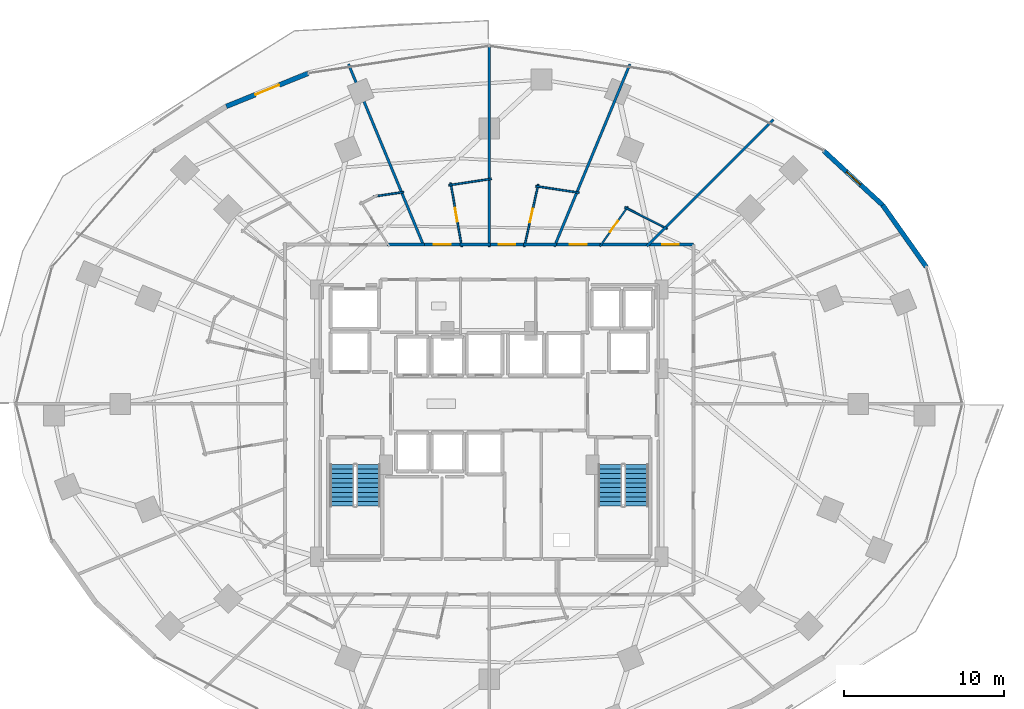
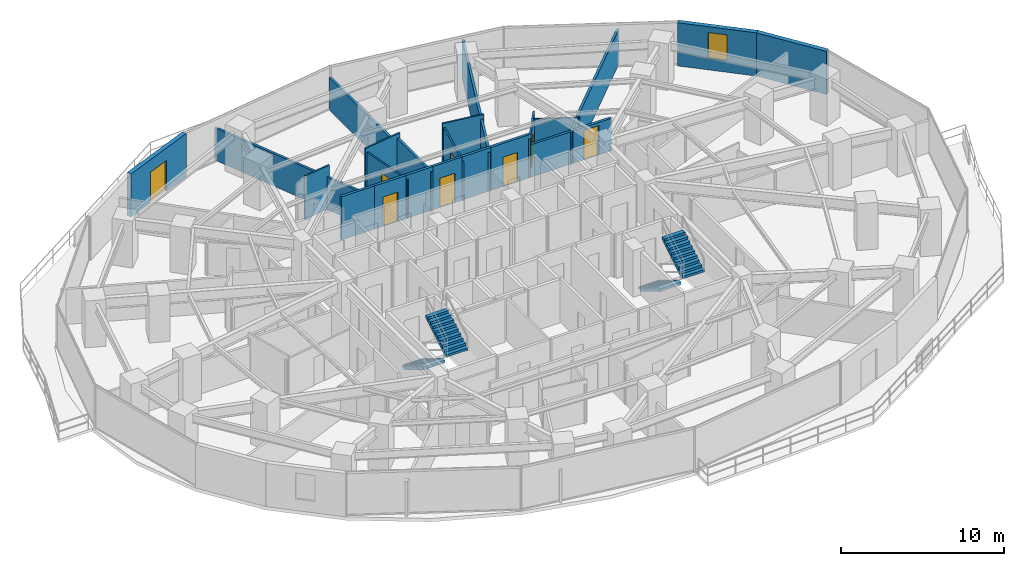
# One storey, part 30 of 34: 25 walls, 8 doors, 4 stair flights, 1 window, 9 openings, 2 elements without a shape of their own.
"""IFC4 building model written with IfcOpenShell, lengths in metres."""

from ifc_helpers import new_model, si_unit, direction, frame, frame_2d, origin, place, context, subcontext, project, spatial, polyline, rectangle, outline, extrude, material, layer, layer_set, type_object, element, fill, aggregate, save


model = new_model("IFC4")

# Units and contexts
model_context = context("Model", 3, precision=1e-05, world=origin(), true_north=direction((0.0, 1.0)))
body_context = subcontext(model_context, "Body", "Model", "MODEL_VIEW")
ifc_project = project(units=[si_unit("LENGTHUNIT", "METRE"), si_unit("AREAUNIT", "SQUARE_METRE"), si_unit("VOLUMEUNIT", "CUBIC_METRE"), si_unit("PLANEANGLEUNIT", "RADIAN"), si_unit("MASSUNIT", "GRAM", prefix="KILO")], contexts=[model_context])

# Site, building, storey
site_placement = place(None, origin())
site = spatial("IfcSite", under=ifc_project, at=site_placement, CompositionType="ELEMENT")
building_placement = place(site_placement, origin())
building = spatial("IfcBuilding", under=site, at=building_placement, Name="Vorneva Point Tower", CompositionType="ELEMENT")
storey_placement = place(building_placement, frame((0.0, 0.0, 31.0)))
storey = spatial("IfcBuildingStorey", under=building, at=storey_placement, Name="L07", CompositionType="ELEMENT", Elevation=31.0)

# Wall
ifc_material_1 = material(Name="Precast concrete B50 (C40/50)", Category="concrete")
ifc_layer_1 = layer(ifc_material_1, 0.300048828125)
ifc_layer_set_1 = layer_set([ifc_layer_1], Name="Precast concrete B50 (C40/50)")
wall_type_1 = type_object("IfcWallType", Name="WL-EXT-300", PredefinedType="STANDARD", material=ifc_layer_set_1)
wall_1_placement = place(storey_placement, frame((65.300537109375, 34.552978515625, 0.0), z_axis=(0.0, 0.0, 1.0), x_axis=(-0.577130815624, 0.816651713803, 0.0)))
element("IfcWall", 1, at=wall_1_placement, inside=storey, type_object=wall_type_1, Name="L07 Pale-Metal Facade Spandrel Wall 02.1", PredefinedType="STANDARD", context=body_context, shape_type="SweptSolid", body=[
    extrude(rectangle(XDim=4.7314453125, YDim=0.300048828125, at=frame_2d((2.36572265625, 0.0))), origin(), (0.0, 0.0, 1.0), 3.239990234375),
])

# Wall, opening, window
wall_2_placement = place(storey_placement, frame((62.56982421875, 38.4169921875, 0.0), z_axis=(0.0, 0.0, 1.0), x_axis=(-0.735342629635, 0.677695519419, 0.0)))
wall_2 = element("IfcWall", 2, at=wall_2_placement, inside=storey, type_object=wall_type_1, Name="L07 Pale-Metal Facade Spandrel Wall 02.2", PredefinedType="STANDARD", context=body_context, shape_type="SweptSolid", body=[
    extrude(rectangle(XDim=4.997314453125, YDim=0.300048828125, at=frame_2d((2.49853515625, 0.0))), origin(), (0.0, 0.0, 1.0), 3.239990234375),
])
opening_1_placement = place(wall_2_placement, frame((1.868896484375, 0.0, 0.85009765625)))
opening_1 = element("IfcOpeningElement", 3, at=opening_1_placement, cuts=wall_2, Name="Opening W-04", PredefinedType="OPENING", context=body_context, shape_type="SweptSolid", body=[
    extrude(rectangle(XDim=1.199951171875, YDim=1.949951171875, at=frame_2d((0.60009765625, 0.97509765625))), frame((0.0, 0.1650390625, 0.0), z_axis=(0.0, -1.0, 0.0), x_axis=(1.0, 0.0, 0.0)), (0.0, 0.0, 1.0), 0.329833984375),
])
ifc_material_2 = material(Name="Double low-e laminated glass IGU", Category="glass")
window_type = type_object("IfcWindowType", Name="WN-RES-1200", PartitioningType="SINGLE_PANEL", PredefinedType="WINDOW", material=ifc_material_2)
window_placement = place(opening_1_placement, origin())
window = element("IfcWindow", 4, at=window_placement, inside=storey, type_object=window_type, Name="L07 Dwelling Vision Window 01", OverallHeight=1.949951171875, OverallWidth=1.199951171875, PartitioningType="SINGLE_PANEL", PredefinedType="WINDOW", context=body_context, shape_type="SweptSolid", body=[
    extrude(rectangle(XDim=1.199951171875, YDim=1.949951171875, at=frame_2d((0.60009765625, 0.97509765625))), frame((0.0, 0.030029296875, 0.0), z_axis=(0.0, -1.0, 0.0), x_axis=(1.0, 0.0, 0.0)), (0.0, 0.0, 1.0), 0.06005859375),
])
fill(opening_1, window)

# Wall, opening, door
wall_3_placement = place(storey_placement, frame((26.691650390625, 46.648681640625, 0.0), z_axis=(0.0, 0.0, 1.0), x_axis=(-0.927095325176, -0.374825636845, 0.0)))
wall_3 = element("IfcWall", 5, at=wall_3_placement, inside=storey, type_object=wall_type_1, Name="L07 Pale-Metal Facade Spandrel Wall 06.1", PredefinedType="STANDARD", context=body_context, shape_type="SweptSolid", body=[
    extrude(rectangle(XDim=5.51025390625, YDim=0.300048828125, at=frame_2d((2.755126953125, 0.0))), origin(), (0.0, 0.0, 1.0), 3.239990234375),
])
opening_2_placement = place(wall_3_placement, frame((1.955322265625, 0.0, 0.0)))
opening_2 = element("IfcOpeningElement", 6, at=opening_2_placement, cuts=wall_3, Name="Opening BD-01", PredefinedType="OPENING", context=body_context, shape_type="SweptSolid", body=[
    extrude(rectangle(XDim=1.60009765625, YDim=2.300048828125, at=frame_2d((0.800048828125, 1.14990234375))), frame((0.0, 0.1650390625, 0.0), z_axis=(0.0, -1.0, 0.0), x_axis=(1.0, 0.0, 0.0)), (0.0, 0.0, 1.0), 0.329833984375),
])
ifc_material_3 = material(Name="Pale anodised aluminium", Category="aluminium")
door_type_1 = type_object("IfcDoorType", Name="DR-BAL-1600", OperationType="SLIDING_TO_LEFT", PredefinedType="DOOR", material=ifc_material_3)
door_1_placement = place(opening_2_placement, origin())
door_1 = element("IfcDoor", 7, at=door_1_placement, inside=storey, type_object=door_type_1, Name="L07 Balcony Terrace Access Door 06", OperationType="SLIDING_TO_LEFT", OverallHeight=2.300048828125, OverallWidth=1.60009765625, PredefinedType="DOOR", context=body_context, shape_type="SweptSolid", body=[
    extrude(rectangle(XDim=1.60009765625, YDim=2.300048828125, at=frame_2d((0.800048828125, 1.14990234375))), frame((0.0, 0.02490234375, 0.0), z_axis=(0.0, -1.0, 0.0), x_axis=(1.0, 0.0, 0.0)), (0.0, 0.0, 1.0), 0.050048828125),
])
fill(opening_2, door_1)

# Wall
ifc_material_4 = material(Name="Fire-rated acoustic gypsum stud partition", Category="gypsum")
ifc_layer_2 = layer(ifc_material_4, 0.110107421875)
ifc_layer_set_2 = layer_set([ifc_layer_2], Name="Fire-rated acoustic gypsum stud partition")
wall_type_2 = type_object("IfcWallType", Name="WL-PART-110", PredefinedType="PARTITIONING", material=ifc_layer_set_2)
wall_4_placement = place(storey_placement, frame((46.462158203125, 38.281005859375, 0.0), z_axis=(0.0, 0.0, 1.0), x_axis=(0.892486842203, -0.451073426944, 0.0)))
element("IfcWall", 8, at=wall_4_placement, inside=storey, type_object=wall_type_2, Name="L07 Interior Partition 066", PredefinedType="PARTITIONING", context=body_context, shape_type="SweptSolid", body=[
    extrude(rectangle(XDim=2.982177734375, YDim=0.110107421875, at=frame_2d((1.4912109375, 0.0))), origin(), (0.0, 0.0, 1.0), 2.431884765625),
])

# Wall, opening, door
wall_5_placement = place(storey_placement, frame((44.91259765625, 35.83544921875, 0.0), z_axis=(0.0, 0.0, 1.0), x_axis=(0.574986040322, 0.818163219312, 0.0)))
wall_5 = element("IfcWall", 9, at=wall_5_placement, inside=storey, type_object=wall_type_2, Name="L07 Interior Partition 067", PredefinedType="PARTITIONING", context=body_context, shape_type="SweptSolid", body=[
    extrude(rectangle(XDim=3.052001953125, YDim=0.110107421875, at=frame_2d((1.52587890625, 0.0))), origin(), (0.0, 0.0, 1.0), 2.922119140625),
])
opening_3_placement = place(wall_5_placement, frame((1.10107421875, 0.0, 0.0)))
opening_3 = element("IfcOpeningElement", 10, at=opening_3_placement, cuts=wall_5, Name="Opening ID-02", PredefinedType="OPENING", context=body_context, shape_type="SweptSolid", body=[
    extrude(rectangle(XDim=0.85009765625, YDim=2.10009765625, at=frame_2d((0.425048828125, 1.050048828125))), frame((0.0, 0.06982421875, 0.0), z_axis=(0.0, -1.0, 0.0), x_axis=(1.0, 0.0, 0.0)), (0.0, 0.0, 1.0), 0.139892578125),
])
ifc_material_5 = material(Name="Engineered oak fire-rated door leaf", Category="wood")
door_type_2 = type_object("IfcDoorType", Name="DR-BATH-850", OperationType="NOTDEFINED", PredefinedType="DOOR", material=ifc_material_5)
door_2_placement = place(opening_3_placement, origin())
door_2 = element("IfcDoor", 11, at=door_2_placement, inside=storey, type_object=door_type_2, Name="L07 Door Corner Suite L07-03 / En-Suite Bathroom L07-03", OperationType="SINGLE_SWING_LEFT", OverallHeight=2.10009765625, OverallWidth=0.85009765625, PredefinedType="DOOR", context=body_context, shape_type="SweptSolid", body=[
    extrude(rectangle(XDim=0.85009765625, YDim=2.10009765625, at=frame_2d((0.425048828125, 1.050048828125))), frame((0.0, 0.02490234375, 0.0), z_axis=(0.0, -1.0, 0.0), x_axis=(1.0, 0.0, 0.0)), (0.0, 0.0, 1.0), 0.050048828125),
])
fill(opening_3, door_2)

wall_6_placement = place(storey_placement, frame((40.193603515625, 35.8134765625, 0.0), z_axis=(0.0, 0.0, 1.0), x_axis=(0.21804880916, 0.975937865248, 0.0)))
wall_6 = element("IfcWall", 12, at=wall_6_placement, inside=storey, type_object=wall_type_2, Name="L07 Interior Partition 070", PredefinedType="PARTITIONING", context=body_context, shape_type="SweptSolid", body=[
    extrude(rectangle(XDim=3.998291015625, YDim=0.110107421875, at=frame_2d((1.9990234375, 0.0))), origin(), (0.0, 0.0, 1.0), 2.922119140625),
])
opening_4_placement = place(wall_6_placement, frame((1.57421875, 0.0, 0.0)))
opening_4 = element("IfcOpeningElement", 13, at=opening_4_placement, cuts=wall_6, Name="Opening ID-02", PredefinedType="OPENING", context=body_context, shape_type="SweptSolid", body=[
    extrude(rectangle(XDim=0.85009765625, YDim=2.10009765625, at=frame_2d((0.425048828125, 1.050048828125))), frame((0.0, 0.06982421875, 0.0), z_axis=(0.0, -1.0, 0.0), x_axis=(1.0, 0.0, 0.0)), (0.0, 0.0, 1.0), 0.139892578125),
])
door_3_placement = place(opening_4_placement, origin())
door_3 = element("IfcDoor", 14, at=door_3_placement, inside=storey, type_object=door_type_2, Name="L07 Door Junior Suite L07-04 / En-Suite Bathroom L07-04", OperationType="SINGLE_SWING_RIGHT", OverallHeight=2.10009765625, OverallWidth=0.85009765625, PredefinedType="DOOR", context=body_context, shape_type="SweptSolid", body=[
    extrude(rectangle(XDim=0.85009765625, YDim=2.10009765625, at=frame_2d((0.425048828125, 1.050048828125))), frame((0.0, 0.02490234375, 0.0), z_axis=(0.0, -1.0, 0.0), x_axis=(1.0, 0.0, 0.0)), (0.0, 0.0, 1.0), 0.050048828125),
])
fill(opening_4, door_3)

# Walls
wall_7_placement = place(storey_placement, frame((40.896484375, 39.599853515625, 0.0), z_axis=(0.0, 0.0, 1.0), x_axis=(0.98891024541, -0.148514398367, 0.0)))
element("IfcWall", 15, at=wall_7_placement, inside=storey, type_object=wall_type_2, Name="L07 Interior Partition 071", PredefinedType="PARTITIONING", context=body_context, shape_type="SweptSolid", body=[
    extrude(rectangle(XDim=2.745361328125, YDim=0.110107421875, at=frame_2d((1.37255859375, 0.0))), origin(), (0.0, 0.0, 1.0), 3.239990234375),
])
wall_8_placement = place(storey_placement, frame((35.474609375, 39.65625, 0.0), z_axis=(0.0, 0.0, 1.0), x_axis=(0.988878442063, 0.148726012595, 0.0)))
element("IfcWall", 16, at=wall_8_placement, inside=storey, type_object=wall_type_2, Name="L07 Interior Partition 074", PredefinedType="PARTITIONING", context=body_context, shape_type="SweptSolid", body=[
    extrude(rectangle(XDim=2.69384765625, YDim=0.110107421875, at=frame_2d((1.346923828125, 0.0))), origin(), (0.0, 0.0, 1.0), 3.239990234375),
])

# Wall, opening, door
wall_9_placement = place(storey_placement, frame((36.287109375, 35.81201171875, 0.0), z_axis=(0.0, 0.0, 1.0), x_axis=(-0.171838135253, 0.985125197766, 0.0)))
wall_9 = element("IfcWall", 17, at=wall_9_placement, inside=storey, type_object=wall_type_2, Name="L07 Interior Partition 075", PredefinedType="PARTITIONING", context=body_context, shape_type="SweptSolid", body=[
    extrude(rectangle(XDim=4.0634765625, YDim=0.110107421875, at=frame_2d((2.03173828125, 0.0))), origin(), (0.0, 0.0, 1.0), 2.922119140625),
])
opening_5_placement = place(wall_9_placement, frame((1.606689453125, 0.0, 0.0)))
opening_5 = element("IfcOpeningElement", 18, at=opening_5_placement, cuts=wall_9, Name="Opening ID-02", PredefinedType="OPENING", context=body_context, shape_type="SweptSolid", body=[
    extrude(rectangle(XDim=0.85009765625, YDim=2.10009765625, at=frame_2d((0.425048828125, 1.050048828125))), frame((0.0, 0.06982421875, 0.0), z_axis=(0.0, -1.0, 0.0), x_axis=(1.0, 0.0, 0.0)), (0.0, 0.0, 1.0), 0.139892578125),
])
door_4_placement = place(opening_5_placement, origin())
door_4 = element("IfcDoor", 19, at=door_4_placement, inside=storey, type_object=door_type_2, Name="L07 Door Executive Suite L07-05 / En-Suite Bathroom L07-05", OperationType="SINGLE_SWING_LEFT", OverallHeight=2.10009765625, OverallWidth=0.85009765625, PredefinedType="DOOR", context=body_context, shape_type="SweptSolid", body=[
    extrude(rectangle(XDim=0.85009765625, YDim=2.10009765625, at=frame_2d((0.425048828125, 1.050048828125))), frame((0.0, 0.02490234375, 0.0), z_axis=(0.0, -1.0, 0.0), x_axis=(1.0, 0.0, 0.0)), (0.0, 0.0, 1.0), 0.050048828125),
])
fill(opening_5, door_4)

# Walls
wall_10_placement = place(storey_placement, frame((30.758544921875, 38.947265625, 0.0), z_axis=(0.0, 0.0, 1.0), x_axis=(0.988889867338, 0.148650026153, 0.0)))
element("IfcWall", 20, at=wall_10_placement, inside=storey, type_object=wall_type_2, Name="L07 Interior Partition 078", PredefinedType="PARTITIONING", context=body_context, shape_type="SweptSolid", body=[
    extrude(rectangle(XDim=1.92822265625, YDim=0.110107421875, at=frame_2d((0.964111328125, 0.0))), origin(), (0.0, 0.0, 1.0), 3.239990234375),
])
ifc_layer_3 = layer(ifc_material_4, 0.159912109375)
ifc_layer_set_3 = layer_set([ifc_layer_3], Name="Fire-rated acoustic gypsum stud partition")
wall_type_3 = type_object("IfcWallType", Name="WL-PART-160", PredefinedType="PARTITIONING", material=ifc_layer_set_3)
wall_11_placement = place(storey_placement, frame((55.7529296875, 43.7529296875, 0.0), z_axis=(0.0, 0.0, 1.0), x_axis=(-0.707106781187, -0.707106781187, 0.0)))
element("IfcWall", 21, at=wall_11_placement, inside=storey, type_object=wall_type_3, Name="L07 Interior Partition 064", PredefinedType="PARTITIONING", context=body_context, shape_type="SweptSolid", body=[
    extrude(rectangle(XDim=9.614990234375, YDim=0.159912109375, at=frame_2d((4.8076171875, 0.0))), origin(), (0.0, 0.0, 1.0), 2.6240234375),
])
wall_12_placement = place(storey_placement, frame((49.052978515625, 37.052978515625, 0.0), z_axis=(0.0, 0.0, 1.0), x_axis=(-0.707106781187, -0.707106781187, 0.0)))
element("IfcWall", 22, at=wall_12_placement, inside=storey, type_object=wall_type_3, Name="L07 Interior Partition 065", PredefinedType="PARTITIONING", context=body_context, shape_type="SweptSolid", body=[
    extrude(rectangle(XDim=1.69970703125, YDim=0.159912109375, at=frame_2d((0.849853515625, 0.0))), origin(), (0.0, 0.0, 1.0), 2.431884765625),
])
wall_13_placement = place(storey_placement, frame((46.7919921875, 47.22509765625, 0.0), z_axis=(0.0, 0.0, 1.0), x_axis=(-0.382750893248, -0.923851586413, 0.0)))
element("IfcWall", 23, at=wall_13_placement, inside=storey, type_object=wall_type_3, Name="L07 Interior Partition 068", PredefinedType="PARTITIONING", context=body_context, shape_type="SweptSolid", body=[
    extrude(rectangle(XDim=8.734130859375, YDim=0.159912109375, at=frame_2d((4.3671875, 0.0))), origin(), (0.0, 0.0, 1.0), 2.8740234375),
])
wall_14_placement = place(storey_placement, frame((43.503173828125, 39.28515625, 0.0), z_axis=(0.0, 0.0, 1.0), x_axis=(-0.382867331148, -0.923803337697, 0.0)))
element("IfcWall", 24, at=wall_14_placement, inside=storey, type_object=wall_type_3, Name="L07 Interior Partition 069", PredefinedType="PARTITIONING", context=body_context, shape_type="SweptSolid", body=[
    extrude(rectangle(XDim=3.75, YDim=0.159912109375, at=frame_2d((1.875, 0.0))), origin(), (0.0, 0.0, 1.0), 2.922119140625),
])
wall_15_placement = place(storey_placement, frame((38.0, 48.35009765625, 0.0), z_axis=(0.0, 0.0, 1.0), x_axis=(0.0, -1.0, 0.0)))
element("IfcWall", 25, at=wall_15_placement, inside=storey, type_object=wall_type_3, Name="L07 Interior Partition 072", PredefinedType="PARTITIONING", context=body_context, shape_type="SweptSolid", body=[
    extrude(rectangle(XDim=8.375, YDim=0.159912109375, at=frame_2d((4.1875, 0.0))), origin(), (0.0, 0.0, 1.0), 2.431884765625),
])
wall_16_placement = place(storey_placement, frame((38.0, 40.114990234375, 0.0), z_axis=(0.0, 0.0, 1.0), x_axis=(0.0, -1.0, 0.0)))
element("IfcWall", 26, at=wall_16_placement, inside=storey, type_object=wall_type_3, Name="L07 Interior Partition 073", PredefinedType="PARTITIONING", context=body_context, shape_type="SweptSolid", body=[
    extrude(rectangle(XDim=4.304931640625, YDim=0.159912109375, at=frame_2d((2.15234375, 0.0))), origin(), (0.0, 0.0, 1.0), 2.922119140625),
])
wall_17_placement = place(storey_placement, frame((29.2080078125, 47.22509765625, 0.0), z_axis=(0.0, 0.0, 1.0), x_axis=(0.382723985517, -0.923862733803, 0.0)))
element("IfcWall", 27, at=wall_17_placement, inside=storey, type_object=wall_type_3, Name="L07 Interior Partition 076", PredefinedType="PARTITIONING", context=body_context, shape_type="SweptSolid", body=[
    extrude(rectangle(XDim=12.204345703125, YDim=0.159912109375, at=frame_2d((6.10205078125, 0.0))), origin(), (0.0, 0.0, 1.0), 2.431884765625),
])

# Wall, opening, door
ifc_material_6 = material(Name="Autoclaved aerated concrete blockwork", Category="masonry")
ifc_layer_4 = layer(ifc_material_6, 0.179931640625)
ifc_layer_set_4 = layer_set([ifc_layer_4], Name="Autoclaved aerated concrete blockwork")
wall_type_4 = type_object("IfcWallType", Name="WL-PART-180", PredefinedType="PARTITIONING", material=ifc_layer_set_4)
wall_18_placement = place(storey_placement, frame((50.75, 35.949951171875, 0.0), z_axis=(0.0, 0.0, 1.0), x_axis=(-1.0, 0.0, 0.0)))
wall_18 = element("IfcWall", 28, at=wall_18_placement, inside=storey, type_object=wall_type_4, Name="L07 Interior Partition 027", PredefinedType="PARTITIONING", context=body_context, shape_type="SweptSolid", body=[
    extrude(rectangle(XDim=2.860107421875, YDim=0.179931640625, at=frame_2d((1.43017578125, 0.0))), origin(), (0.0, 0.0, 1.0), 2.431884765625),
])
opening_6_placement = place(wall_18_placement, frame((0.905029296875, 0.0, 0.0)))
opening_6 = element("IfcOpeningElement", 29, at=opening_6_placement, cuts=wall_18, Name="Opening UD-02", PredefinedType="OPENING", context=body_context, shape_type="SweptSolid", body=[
    extrude(rectangle(XDim=1.050048828125, YDim=2.199951171875, at=frame_2d((0.52490234375, 1.10009765625))), frame((0.0, 0.10498046875, 0.0), z_axis=(0.0, -1.0, 0.0), x_axis=(1.0, 0.0, 0.0)), (0.0, 0.0, 1.0), 0.209716796875),
])
door_type_3 = type_object("IfcDoorType", Name="DR-SUITE-1050", OperationType="NOTDEFINED", PredefinedType="DOOR", material=ifc_material_5)
door_5_placement = place(opening_6_placement, origin())
door_5 = element("IfcDoor", 30, at=door_5_placement, inside=storey, type_object=door_type_3, Name="L07 Door L07 Circulation Corridor / Executive Suite L07-02", OperationType="SINGLE_SWING_RIGHT", OverallHeight=2.199951171875, OverallWidth=1.050048828125, PredefinedType="DOOR", context=body_context, shape_type="SweptSolid", body=[
    extrude(rectangle(XDim=1.050048828125, YDim=2.199951171875, at=frame_2d((0.52490234375, 1.10009765625))), frame((0.0, 0.02490234375, 0.0), z_axis=(0.0, -1.0, 0.0), x_axis=(1.0, 0.0, 0.0)), (0.0, 0.0, 1.0), 0.050048828125),
])
fill(opening_6, door_5)

wall_19_placement = place(storey_placement, frame((45.06591796875, 35.949951171875, 0.0), z_axis=(0.0, 0.0, 1.0), x_axis=(-1.0, 0.0, 0.0)))
wall_19 = element("IfcWall", 31, at=wall_19_placement, inside=storey, type_object=wall_type_4, Name="L07 Interior Partition 029", PredefinedType="PARTITIONING", context=body_context, shape_type="SweptSolid", body=[
    extrude(rectangle(XDim=3.0048828125, YDim=0.179931640625, at=frame_2d((1.50244140625, 0.0))), origin(), (0.0, 0.0, 1.0), 3.239990234375),
])
opening_7_placement = place(wall_19_placement, frame((0.9775390625, 0.0, 0.0)))
opening_7 = element("IfcOpeningElement", 32, at=opening_7_placement, cuts=wall_19, Name="Opening UD-02", PredefinedType="OPENING", context=body_context, shape_type="SweptSolid", body=[
    extrude(rectangle(XDim=1.050048828125, YDim=2.199951171875, at=frame_2d((0.52490234375, 1.10009765625))), frame((0.0, 0.10498046875, 0.0), z_axis=(0.0, -1.0, 0.0), x_axis=(1.0, 0.0, 0.0)), (0.0, 0.0, 1.0), 0.209716796875),
])
door_6_placement = place(opening_7_placement, origin())
door_6 = element("IfcDoor", 33, at=door_6_placement, inside=storey, type_object=door_type_3, Name="L07 Door L07 Circulation Corridor / Corner Suite L07-03", OperationType="SINGLE_SWING_LEFT", OverallHeight=2.199951171875, OverallWidth=1.050048828125, PredefinedType="DOOR", context=body_context, shape_type="SweptSolid", body=[
    extrude(rectangle(XDim=1.050048828125, YDim=2.199951171875, at=frame_2d((0.52490234375, 1.10009765625))), frame((0.0, 0.02490234375, 0.0), z_axis=(0.0, -1.0, 0.0), x_axis=(1.0, 0.0, 0.0)), (0.0, 0.0, 1.0), 0.050048828125),
])
fill(opening_7, door_6)

# Wall
wall_20_placement = place(storey_placement, frame((48.030029296875, 35.949951171875, 0.0), z_axis=(0.0, 0.0, 1.0), x_axis=(-1.0, 0.0, 0.0)))
element("IfcWall", 34, at=wall_20_placement, inside=storey, type_object=wall_type_4, Name="L07 Interior Partition 030", PredefinedType="PARTITIONING", context=body_context, shape_type="SweptSolid", body=[
    extrude(rectangle(XDim=3.10400390625, YDim=0.179931640625, at=frame_2d((1.552001953125, 0.0))), origin(), (0.0, 0.0, 1.0), 2.431884765625),
])

# Wall, opening, door
wall_21_placement = place(storey_placement, frame((40.284912109375, 35.949951171875, 0.0), z_axis=(0.0, 0.0, 1.0), x_axis=(-1.0, 0.0, 0.0)))
wall_21 = element("IfcWall", 35, at=wall_21_placement, inside=storey, type_object=wall_type_4, Name="L07 Interior Partition 031", PredefinedType="PARTITIONING", context=body_context, shape_type="SweptSolid", body=[
    extrude(rectangle(XDim=2.344970703125, YDim=0.179931640625, at=frame_2d((1.17236328125, 0.0))), origin(), (0.0, 0.0, 1.0), 3.239990234375),
])
opening_8_placement = place(wall_21_placement, frame((0.6474609375, 0.0, 0.0)))
opening_8 = element("IfcOpeningElement", 36, at=opening_8_placement, cuts=wall_21, Name="Opening UD-02", PredefinedType="OPENING", context=body_context, shape_type="SweptSolid", body=[
    extrude(rectangle(XDim=1.050048828125, YDim=2.199951171875, at=frame_2d((0.52490234375, 1.10009765625))), frame((0.0, 0.10498046875, 0.0), z_axis=(0.0, -1.0, 0.0), x_axis=(1.0, 0.0, 0.0)), (0.0, 0.0, 1.0), 0.209716796875),
])
door_7_placement = place(opening_8_placement, origin())
door_7 = element("IfcDoor", 37, at=door_7_placement, inside=storey, type_object=door_type_3, Name="L07 Door L07 Circulation Corridor / Junior Suite L07-04", OperationType="SINGLE_SWING_RIGHT", OverallHeight=2.199951171875, OverallWidth=1.050048828125, PredefinedType="DOOR", context=body_context, shape_type="SweptSolid", body=[
    extrude(rectangle(XDim=1.050048828125, YDim=2.199951171875, at=frame_2d((0.52490234375, 1.10009765625))), frame((0.0, 0.02490234375, 0.0), z_axis=(0.0, -1.0, 0.0), x_axis=(1.0, 0.0, 0.0)), (0.0, 0.0, 1.0), 0.050048828125),
])
fill(opening_8, door_7)

# Wall
wall_22_placement = place(storey_placement, frame((42.200927734375, 35.949951171875, 0.0), z_axis=(0.0, 0.0, 1.0), x_axis=(-1.0, 0.0, 0.0)))
element("IfcWall", 38, at=wall_22_placement, inside=storey, type_object=wall_type_4, Name="L07 Interior Partition 032", PredefinedType="PARTITIONING", context=body_context, shape_type="SweptSolid", body=[
    extrude(rectangle(XDim=2.055908203125, YDim=0.179931640625, at=frame_2d((1.02783203125, 0.0))), origin(), (0.0, 0.0, 1.0), 3.239990234375),
])

# Wall, opening, door
wall_23_placement = place(storey_placement, frame((36.322998046875, 35.949951171875, 0.0), z_axis=(0.0, 0.0, 1.0), x_axis=(-1.0, 0.0, 0.0)))
wall_23 = element("IfcWall", 39, at=wall_23_placement, inside=storey, type_object=wall_type_4, Name="L07 Interior Partition 033", PredefinedType="PARTITIONING", context=body_context, shape_type="SweptSolid", body=[
    extrude(rectangle(XDim=2.509033203125, YDim=0.179931640625, at=frame_2d((1.25439453125, 0.0))), origin(), (0.0, 0.0, 1.0), 3.239990234375),
])
opening_9_placement = place(wall_23_placement, frame((0.7294921875, 0.0, 0.0)))
opening_9 = element("IfcOpeningElement", 40, at=opening_9_placement, cuts=wall_23, Name="Opening UD-02", PredefinedType="OPENING", context=body_context, shape_type="SweptSolid", body=[
    extrude(rectangle(XDim=1.050048828125, YDim=2.199951171875, at=frame_2d((0.52490234375, 1.10009765625))), frame((0.0, 0.10498046875, 0.0), z_axis=(0.0, -1.0, 0.0), x_axis=(1.0, 0.0, 0.0)), (0.0, 0.0, 1.0), 0.209716796875),
])
door_8_placement = place(opening_9_placement, origin())
door_8 = element("IfcDoor", 41, at=door_8_placement, inside=storey, type_object=door_type_3, Name="L07 Door L07 Circulation Corridor / Executive Suite L07-05", OperationType="SINGLE_SWING_LEFT", OverallHeight=2.199951171875, OverallWidth=1.050048828125, PredefinedType="DOOR", context=body_context, shape_type="SweptSolid", body=[
    extrude(rectangle(XDim=1.050048828125, YDim=2.199951171875, at=frame_2d((0.52490234375, 1.10009765625))), frame((0.0, 0.02490234375, 0.0), z_axis=(0.0, -1.0, 0.0), x_axis=(1.0, 0.0, 0.0)), (0.0, 0.0, 1.0), 0.050048828125),
])
fill(opening_9, door_8)

# Walls
wall_24_placement = place(storey_placement, frame((38.080078125, 35.949951171875, 0.0), z_axis=(0.0, 0.0, 1.0), x_axis=(-1.0, 0.0, 0.0)))
element("IfcWall", 42, at=wall_24_placement, inside=storey, type_object=wall_type_4, Name="L07 Interior Partition 034", PredefinedType="PARTITIONING", context=body_context, shape_type="SweptSolid", body=[
    extrude(rectangle(XDim=1.89697265625, YDim=0.179931640625, at=frame_2d((0.948486328125, 0.0))), origin(), (0.0, 0.0, 1.0), 3.239990234375),
])
wall_25_placement = place(storey_placement, frame((33.9541015625, 35.949951171875, 0.0), z_axis=(0.0, 0.0, 1.0), x_axis=(-1.0, 0.0, 0.0)))
element("IfcWall", 43, at=wall_25_placement, inside=storey, type_object=wall_type_4, Name="L07 Interior Partition 036", PredefinedType="PARTITIONING", context=body_context, shape_type="SweptSolid", body=[
    extrude(rectangle(XDim=2.34814453125, YDim=0.179931640625, at=frame_2d((1.174072265625, 0.0))), origin(), (0.0, 0.0, 1.0), 3.239990234375),
])

# Stair, stair flights
ifc_material_7 = material(Name="Concrete B50 (C40/50)", Category="concrete")
stair_type = type_object("IfcStairType", Name="ST-DOG-1500", PredefinedType="HALF_TURN_STAIR", material=ifc_material_7)
stair_1_placement = place(storey_placement, origin())
stair_1 = element("IfcStair", 44, at=stair_1_placement, inside=storey, type_object=stair_type, Name="L07 ST1", PredefinedType="HALF_TURN_STAIR")
stair_flight_type = type_object("IfcStairFlightType", Name="STF-1500", PredefinedType="STRAIGHT", material=ifc_material_7)
stair_flight_1_placement = place(storey_placement, frame((28.800048828125, 22.219970703125, 0.0), z_axis=(0.0, 0.0, 1.0), x_axis=(0.0, -1.0, 0.0)))
stair_flight_1 = element("IfcStairFlight", 45, at=stair_flight_1_placement, type_object=stair_flight_type, Name="ST1 flight 1", NumberOfRisers=10, NumberOfTreads=9, PredefinedType="STRAIGHT", RiserHeight=0.175, TreadLength=0.29, context=body_context, shape_type="SweptSolid", body=[
    extrude(outline(polyline([(0.0, 0.0), (0.0, 0.175048828125), (0.2900390625, 0.175048828125), (0.2900390625, 0.35009765625), (0.580078125, 0.35009765625), (0.580078125, 0.52490234375), (0.8701171875, 0.52490234375), (0.8701171875, 0.699951171875), (1.159912109375, 0.699951171875), (1.159912109375, 0.875), (1.449951171875, 0.875), (1.449951171875, 1.050048828125), (1.739990234375, 1.050048828125), (1.739990234375, 1.22509765625), (2.030029296875, 1.22509765625), (2.030029296875, 1.39990234375), (2.320068359375, 1.39990234375), (2.320068359375, 1.574951171875), (2.610107421875, 1.574951171875), (2.610107421875, 1.75), (2.610107421875, 1.36474609375), (0.34814453125, 0.0), (0.0, 0.0)])), frame((0.0, 0.75, 0.0), z_axis=(0.0, -1.0, 0.0), x_axis=(1.0, 0.0, 0.0)), (0.0, 0.0, 1.0), 1.5),
])
stair_flight_2_placement = place(storey_placement, frame((30.449951171875, 19.610107421875, 1.75), z_axis=(0.0, 0.0, 1.0), x_axis=(0.0, 1.0, 0.0)))
stair_flight_2 = element("IfcStairFlight", 46, at=stair_flight_2_placement, type_object=stair_flight_type, Name="ST1 flight 2", NumberOfRisers=10, NumberOfTreads=9, PredefinedType="STRAIGHT", RiserHeight=0.175, TreadLength=0.29, context=body_context, shape_type="SweptSolid", body=[
    extrude(outline(polyline([(0.0, 0.0), (0.0, 0.175048828125), (0.2900390625, 0.175048828125), (0.2900390625, 0.35009765625), (0.580078125, 0.35009765625), (0.580078125, 0.52490234375), (0.8701171875, 0.52490234375), (0.8701171875, 0.699951171875), (1.159912109375, 0.699951171875), (1.159912109375, 0.875), (1.449951171875, 0.875), (1.449951171875, 1.050048828125), (1.739990234375, 1.050048828125), (1.739990234375, 1.22509765625), (2.030029296875, 1.22509765625), (2.030029296875, 1.39990234375), (2.320068359375, 1.39990234375), (2.320068359375, 1.574951171875), (2.610107421875, 1.574951171875), (2.610107421875, 1.75), (2.610107421875, 1.36474609375), (0.34814453125, 0.0), (0.0, 0.0)])), frame((0.0, 0.75, 0.0), z_axis=(0.0, -1.0, 0.0), x_axis=(1.0, 0.0, 0.0)), (0.0, 0.0, 1.0), 1.5),
])
aggregate(stair_1, [stair_flight_1, stair_flight_2])

stair_2_placement = place(storey_placement, origin())
stair_2 = element("IfcStair", 47, at=stair_2_placement, inside=storey, type_object=stair_type, Name="L07 ST2", PredefinedType="HALF_TURN_STAIR")
stair_flight_3_placement = place(storey_placement, frame((45.550048828125, 22.219970703125, 0.0), z_axis=(0.0, 0.0, 1.0), x_axis=(0.0, -1.0, 0.0)))
stair_flight_3 = element("IfcStairFlight", 48, at=stair_flight_3_placement, type_object=stair_flight_type, Name="ST2 flight 1", NumberOfRisers=10, NumberOfTreads=9, PredefinedType="STRAIGHT", RiserHeight=0.175, TreadLength=0.29, context=body_context, shape_type="SweptSolid", body=[
    extrude(outline(polyline([(0.0, 0.0), (0.0, 0.175048828125), (0.2900390625, 0.175048828125), (0.2900390625, 0.35009765625), (0.580078125, 0.35009765625), (0.580078125, 0.52490234375), (0.8701171875, 0.52490234375), (0.8701171875, 0.699951171875), (1.159912109375, 0.699951171875), (1.159912109375, 0.875), (1.449951171875, 0.875), (1.449951171875, 1.050048828125), (1.739990234375, 1.050048828125), (1.739990234375, 1.22509765625), (2.030029296875, 1.22509765625), (2.030029296875, 1.39990234375), (2.320068359375, 1.39990234375), (2.320068359375, 1.574951171875), (2.610107421875, 1.574951171875), (2.610107421875, 1.75), (2.610107421875, 1.36474609375), (0.34814453125, 0.0), (0.0, 0.0)])), frame((0.0, 0.75, 0.0), z_axis=(0.0, -1.0, 0.0), x_axis=(1.0, 0.0, 0.0)), (0.0, 0.0, 1.0), 1.5),
])
stair_flight_4_placement = place(storey_placement, frame((47.199951171875, 19.610107421875, 1.75), z_axis=(0.0, 0.0, 1.0), x_axis=(0.0, 1.0, 0.0)))
stair_flight_4 = element("IfcStairFlight", 49, at=stair_flight_4_placement, type_object=stair_flight_type, Name="ST2 flight 2", NumberOfRisers=10, NumberOfTreads=9, PredefinedType="STRAIGHT", RiserHeight=0.175, TreadLength=0.29, context=body_context, shape_type="SweptSolid", body=[
    extrude(outline(polyline([(0.0, 0.0), (0.0, 0.175048828125), (0.2900390625, 0.175048828125), (0.2900390625, 0.35009765625), (0.580078125, 0.35009765625), (0.580078125, 0.52490234375), (0.8701171875, 0.52490234375), (0.8701171875, 0.699951171875), (1.159912109375, 0.699951171875), (1.159912109375, 0.875), (1.449951171875, 0.875), (1.449951171875, 1.050048828125), (1.739990234375, 1.050048828125), (1.739990234375, 1.22509765625), (2.030029296875, 1.22509765625), (2.030029296875, 1.39990234375), (2.320068359375, 1.39990234375), (2.320068359375, 1.574951171875), (2.610107421875, 1.574951171875), (2.610107421875, 1.75), (2.610107421875, 1.36474609375), (0.34814453125, 0.0), (0.0, 0.0)])), frame((0.0, 0.75, 0.0), z_axis=(0.0, -1.0, 0.0), x_axis=(1.0, 0.0, 0.0)), (0.0, 0.0, 1.0), 1.5),
])
aggregate(stair_2, [stair_flight_3, stair_flight_4])

save(model, "model.ifc")
